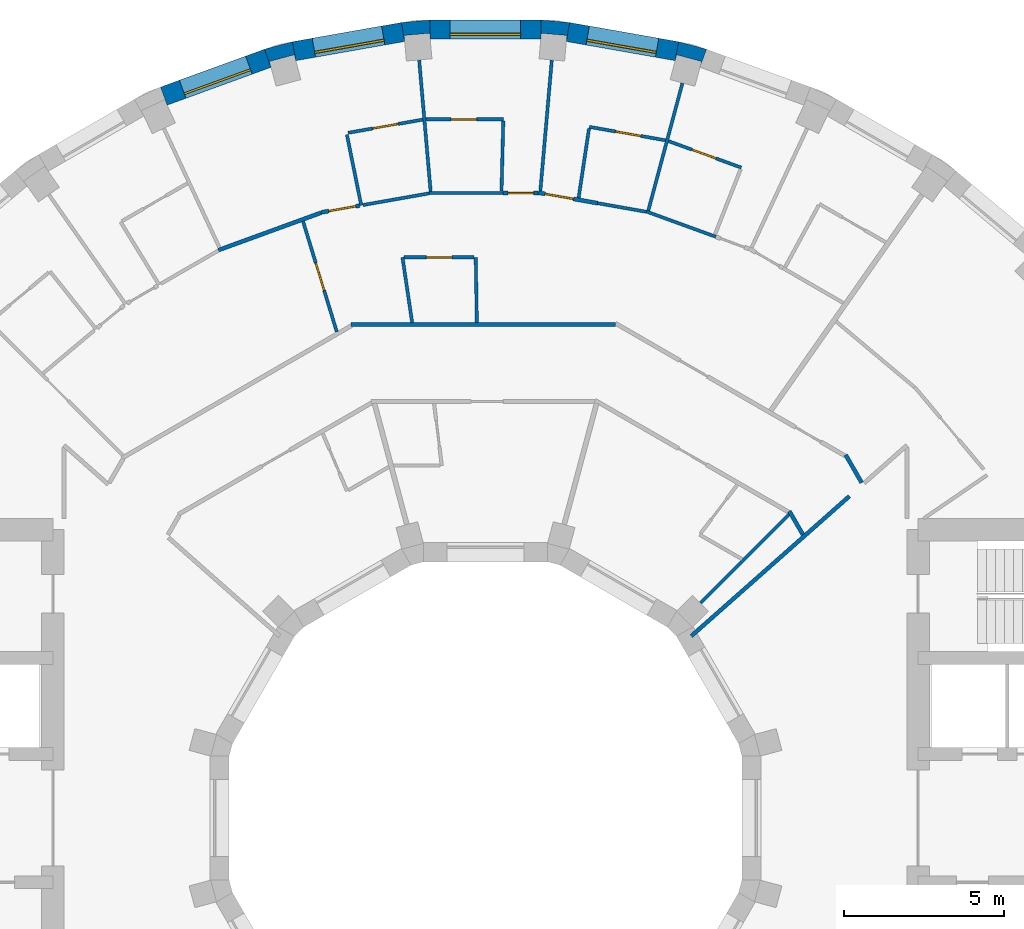
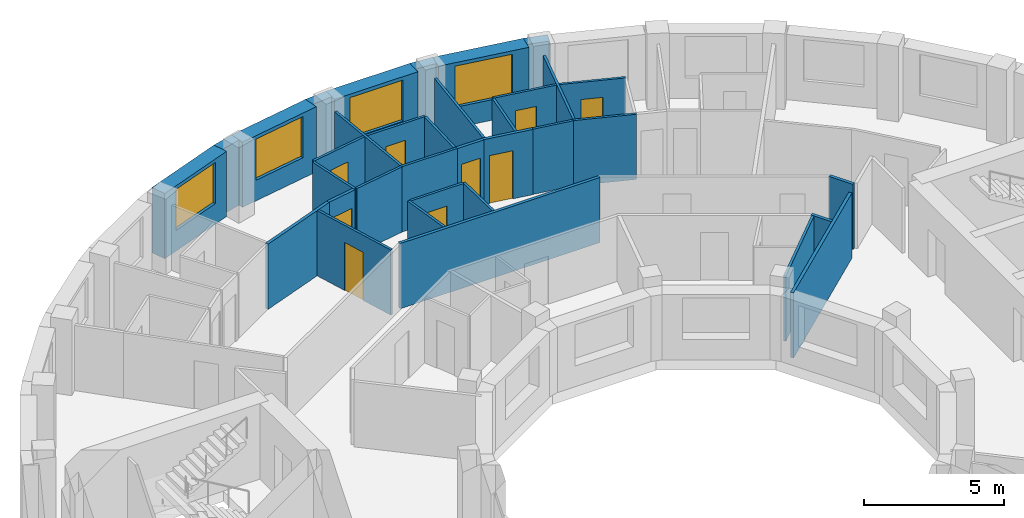
# One storey, part 12 of 15: 35 walls, 9 doors, 4 windows, 13 openings.
"""IFC4 building model written with IfcOpenShell, lengths in metres."""

from ifc_helpers import new_model, si_unit, direction, frame, frame_2d, origin, place, context, subcontext, project, spatial, polyline, rectangle, outline, extrude, material, layer, layer_set, type_object, element, fill, save


model = new_model("IFC4")

# Units and contexts
model_context = context("Model", 3, precision=1e-05, world=origin(), true_north=direction((0.0, 1.0)))
body_context = subcontext(model_context, "Body", "Model", "MODEL_VIEW")
ifc_project = project(units=[si_unit("LENGTHUNIT", "METRE"), si_unit("AREAUNIT", "SQUARE_METRE"), si_unit("VOLUMEUNIT", "CUBIC_METRE"), si_unit("PLANEANGLEUNIT", "RADIAN"), si_unit("MASSUNIT", "GRAM", prefix="KILO")], contexts=[model_context])

# Site, building, storey
site_placement = place(None, origin())
site = spatial("IfcSite", under=ifc_project, at=site_placement, CompositionType="ELEMENT")
building_placement = place(site_placement, origin())
building = spatial("IfcBuilding", under=site, at=building_placement, Name="Saqina Gate Tower", CompositionType="ELEMENT")
storey_placement = place(building_placement, frame((0.0, 0.0, 164.10009765625)))
storey = spatial("IfcBuildingStorey", under=building, at=storey_placement, Name="L46", CompositionType="ELEMENT", Elevation=164.10009765625)

# Walls
ifc_material_1 = material(Name="Brick masonry (buff)", Category="masonry")
wall_type_1 = type_object("IfcWallType", Name="BRICK PIER COPING BUFF", PredefinedType="SOLIDWALL", material=ifc_material_1)
wall_1_placement = place(storey_placement, origin())
element("IfcWall", 1, at=wall_1_placement, inside=storey, type_object=wall_type_1, Name="Pier cap L46 column 8", PredefinedType="SOLIDWALL", context=body_context, shape_type="SweptSolid", body=[
    extrude(outline(polyline([(6.0234375, 24.22705078125), (5.919189453125, 23.635986328125), (5.967529296875, 23.81689453125), (6.740478515625, 23.610107421875), (6.69189453125, 23.428955078125), (6.897216796875, 23.992919921875), (6.0234375, 24.22705078125)])), origin(), (0.0, 0.0, 1.0), 2.849853515625),
])
wall_2_placement = place(storey_placement, origin())
element("IfcWall", 2, at=wall_2_placement, inside=storey, type_object=wall_type_1, Name="Pier cap L46 column 9", PredefinedType="SOLIDWALL", context=body_context, shape_type="SweptSolid", body=[
    extrude(outline(polyline([(2.6259765625, 24.825927734375), (1.724853515625, 24.90478515625), (1.724853515625, 24.304931640625), (1.7412109375, 24.491455078125), (2.5380859375, 24.421630859375), (2.521728515625, 24.235107421875), (2.6259765625, 24.825927734375)])), origin(), (0.0, 0.0, 1.0), 2.849853515625),
])
wall_3_placement = place(storey_placement, origin())
element("IfcWall", 3, at=wall_3_placement, inside=storey, type_object=wall_type_1, Name="Pier cap L46 column 10", PredefinedType="SOLIDWALL", context=body_context, shape_type="SweptSolid", body=[
    extrude(outline(polyline([(-1.724853515625, 24.90478515625), (-2.6259765625, 24.825927734375), (-2.521728515625, 24.235107421875), (-2.5380859375, 24.421630859375), (-1.7412109375, 24.491455078125), (-1.724853515625, 24.304931640625), (-1.724853515625, 24.90478515625)])), origin(), (0.0, 0.0, 1.0), 2.849853515625),
])
wall_4_placement = place(storey_placement, origin())
element("IfcWall", 4, at=wall_4_placement, inside=storey, type_object=wall_type_1, Name="Pier cap L46 column 11", PredefinedType="SOLIDWALL", context=body_context, shape_type="SweptSolid", body=[
    extrude(outline(polyline([(-6.0234375, 24.22705078125), (-6.897216796875, 23.992919921875), (-6.69189453125, 23.428955078125), (-6.740478515625, 23.610107421875), (-5.967529296875, 23.81689453125), (-5.919189453125, 23.635986328125), (-6.0234375, 24.22705078125)])), origin(), (0.0, 0.0, 1.0), 2.849853515625),
])

# Wall, opening, window
ifc_material_2 = material(Name="Brick masonry (buff)", Category="masonry")
ifc_layer_1 = layer(ifc_material_2, 0.60009765625)
ifc_layer_set_1 = layer_set([ifc_layer_1], Name="FW-BRICK-BUFF")
wall_type_2 = type_object("IfcWallType", Name="FW-BRICK-BUFF", PredefinedType="SOLIDWALL", material=ifc_layer_set_1)
wall_5_placement = place(storey_placement, frame((5.97119140625, 23.931640625, 0.0), z_axis=(0.0, 0.0, 1.0), x_axis=(-0.984814892183, 0.173607684551, 0.0)))
wall_5 = element("IfcWall", 5, at=wall_5_placement, inside=storey, type_object=wall_type_2, Name="Facade wall L46 facet 8", PredefinedType="SOLIDWALL", context=body_context, shape_type="SweptSolid", body=[
    extrude(rectangle(XDim=3.44970703125, YDim=0.60009765625, at=frame_2d((1.724853515625, 0.0))), origin(), (0.0, 0.0, 1.0), 2.849853515625),
])
opening_1_placement = place(wall_5_placement, frame((0.625, 0.0, 0.89990234375)))
opening_1 = element("IfcOpeningElement", 6, at=opening_1_placement, cuts=wall_5, Name="Opening G13-W06", PredefinedType="OPENING", context=body_context, shape_type="SweptSolid", body=[
    extrude(rectangle(XDim=2.199951171875, YDim=1.800048828125, at=frame_2d((1.10009765625, 0.89990234375))), frame((0.0, 0.31201171875, 0.0), z_axis=(0.0, -1.0, 0.0), x_axis=(1.0, 0.0, 0.0)), (0.0, 0.0, 1.0), 0.6240234375),
])
ifc_material_3 = material(Name="Aluminium glazing", Category="aluminium")
window_type = type_object("IfcWindowType", Name="WN-C", PartitioningType="SINGLE_PANEL", PredefinedType="WINDOW", material=ifc_material_3)
window_1_placement = place(opening_1_placement, origin())
window_1 = element("IfcWindow", 7, at=window_1_placement, inside=storey, type_object=window_type, Name="Window L46 facet 8", OverallHeight=1.800048828125, OverallWidth=2.199951171875, PartitioningType="SINGLE_PANEL", PredefinedType="WINDOW", context=body_context, shape_type="SweptSolid", body=[
    extrude(rectangle(XDim=2.199951171875, YDim=1.800048828125, at=frame_2d((1.10009765625, 0.89990234375))), frame((0.0, 0.179931640625, 0.0), z_axis=(0.0, -1.0, 0.0), x_axis=(1.0, 0.0, 0.0)), (0.0, 0.0, 1.0), 0.06005859375),
])
fill(opening_1, window_1)

wall_6_placement = place(storey_placement, frame((1.724853515625, 24.60498046875, 0.0), z_axis=(0.0, 0.0, 1.0), x_axis=(-1.0, 0.0, 0.0)))
wall_6 = element("IfcWall", 8, at=wall_6_placement, inside=storey, type_object=wall_type_2, Name="Facade wall L46 facet 9", PredefinedType="SOLIDWALL", context=body_context, shape_type="SweptSolid", body=[
    extrude(rectangle(XDim=3.44970703125, YDim=0.60009765625, at=frame_2d((1.724853515625, 0.0))), origin(), (0.0, 0.0, 1.0), 2.849853515625),
])
opening_2_placement = place(wall_6_placement, frame((0.625, 0.0, 0.89990234375)))
opening_2 = element("IfcOpeningElement", 9, at=opening_2_placement, cuts=wall_6, Name="Opening G13-W07", PredefinedType="OPENING", context=body_context, shape_type="SweptSolid", body=[
    extrude(rectangle(XDim=2.199951171875, YDim=1.800048828125, at=frame_2d((1.10009765625, 0.89990234375))), frame((0.0, 0.31201171875, 0.0), z_axis=(0.0, -1.0, 0.0), x_axis=(1.0, 0.0, 0.0)), (0.0, 0.0, 1.0), 0.6240234375),
])
window_2_placement = place(opening_2_placement, origin())
window_2 = element("IfcWindow", 10, at=window_2_placement, inside=storey, type_object=window_type, Name="Window L46 facet 9", OverallHeight=1.800048828125, OverallWidth=2.199951171875, PartitioningType="SINGLE_PANEL", PredefinedType="WINDOW", context=body_context, shape_type="SweptSolid", body=[
    extrude(rectangle(XDim=2.199951171875, YDim=1.800048828125, at=frame_2d((1.10009765625, 0.89990234375))), frame((0.0, 0.179931640625, 0.0), z_axis=(0.0, -1.0, 0.0), x_axis=(1.0, 0.0, 0.0)), (0.0, 0.0, 1.0), 0.06005859375),
])
fill(opening_2, window_2)

wall_7_placement = place(storey_placement, frame((-2.573974609375, 24.530517578125, 0.0), z_axis=(0.0, 0.0, 1.0), x_axis=(-0.984814892183, -0.173607684551, 0.0)))
wall_7 = element("IfcWall", 11, at=wall_7_placement, inside=storey, type_object=wall_type_2, Name="Facade wall L46 facet 10", PredefinedType="SOLIDWALL", context=body_context, shape_type="SweptSolid", body=[
    extrude(rectangle(XDim=3.44970703125, YDim=0.60009765625, at=frame_2d((1.724853515625, 0.0))), origin(), (0.0, 0.0, 1.0), 2.849853515625),
])
opening_3_placement = place(wall_7_placement, frame((0.625, 0.0, 0.89990234375)))
opening_3 = element("IfcOpeningElement", 12, at=opening_3_placement, cuts=wall_7, Name="Opening G13-W08", PredefinedType="OPENING", context=body_context, shape_type="SweptSolid", body=[
    extrude(rectangle(XDim=2.199951171875, YDim=1.800048828125, at=frame_2d((1.10009765625, 0.89990234375))), frame((0.0, 0.31201171875, 0.0), z_axis=(0.0, -1.0, 0.0), x_axis=(1.0, 0.0, 0.0)), (0.0, 0.0, 1.0), 0.6240234375),
])
window_3_placement = place(opening_3_placement, origin())
window_3 = element("IfcWindow", 13, at=window_3_placement, inside=storey, type_object=window_type, Name="Window L46 facet 10", OverallHeight=1.800048828125, OverallWidth=2.199951171875, PartitioningType="SINGLE_PANEL", PredefinedType="WINDOW", context=body_context, shape_type="SweptSolid", body=[
    extrude(rectangle(XDim=2.199951171875, YDim=1.800048828125, at=frame_2d((1.10009765625, 0.89990234375))), frame((0.0, 0.179931640625, 0.0), z_axis=(0.0, -1.0, 0.0), x_axis=(1.0, 0.0, 0.0)), (0.0, 0.0, 1.0), 0.06005859375),
])
fill(opening_3, window_3)

wall_8_placement = place(storey_placement, frame((-6.79443359375, 23.7109375, 0.0), z_axis=(0.0, 0.0, 1.0), x_axis=(-0.93968799822, -0.342032843455, 0.0)))
wall_8 = element("IfcWall", 14, at=wall_8_placement, inside=storey, type_object=wall_type_2, Name="Facade wall L46 facet 11", PredefinedType="SOLIDWALL", context=body_context, shape_type="SweptSolid", body=[
    extrude(rectangle(XDim=3.44970703125, YDim=0.60009765625, at=frame_2d((1.724853515625, 0.0))), origin(), (0.0, 0.0, 1.0), 2.849853515625),
])
opening_4_placement = place(wall_8_placement, frame((0.625, 0.0, 0.89990234375)))
opening_4 = element("IfcOpeningElement", 15, at=opening_4_placement, cuts=wall_8, Name="Opening G13-W09", PredefinedType="OPENING", context=body_context, shape_type="SweptSolid", body=[
    extrude(rectangle(XDim=2.199951171875, YDim=1.800048828125, at=frame_2d((1.10009765625, 0.89990234375))), frame((0.0, 0.31201171875, 0.0), z_axis=(0.0, -1.0, 0.0), x_axis=(1.0, 0.0, 0.0)), (0.0, 0.0, 1.0), 0.6240234375),
])
window_4_placement = place(opening_4_placement, origin())
window_4 = element("IfcWindow", 16, at=window_4_placement, inside=storey, type_object=window_type, Name="Window L46 facet 11", OverallHeight=1.800048828125, OverallWidth=2.199951171875, PartitioningType="SINGLE_PANEL", PredefinedType="WINDOW", context=body_context, shape_type="SweptSolid", body=[
    extrude(rectangle(XDim=2.199951171875, YDim=1.800048828125, at=frame_2d((1.10009765625, 0.89990234375))), frame((0.0, 0.179931640625, 0.0), z_axis=(0.0, -1.0, 0.0), x_axis=(1.0, 0.0, 0.0)), (0.0, 0.0, 1.0), 0.06005859375),
])
fill(opening_4, window_4)

# Walls
ifc_material_4 = material(Name="Gypsum board on steel studs, 100 mm", Category="steel")
ifc_layer_2 = layer(ifc_material_4, 0.10009765625)
ifc_layer_set_2 = layer_set([ifc_layer_2], Name="PARTITION 100")
wall_type_3 = type_object("IfcWallType", Name="PARTITION 100", PredefinedType="PARTITIONING", material=ifc_layer_set_2)
wall_9_placement = place(storey_placement, frame((-0.304931640625, 17.5, 0.0), z_axis=(0.0, 0.0, 1.0), x_axis=(0.017131441911, -0.999853246081, 0.0)))
element("IfcWall", 17, at=wall_9_placement, inside=storey, type_object=wall_type_3, Name="PARTITION PW3-01", PredefinedType="PARTITIONING", context=body_context, shape_type="SweptSolid", body=[
    extrude(rectangle(XDim=2.037841796875, YDim=0.10009765625, at=frame_2d((1.01904296875, 0.0))), origin(), (0.0, 0.0, 1.0), 2.849853515625),
])
wall_10_placement = place(storey_placement, frame((-2.06884765625, 23.649658203125, 0.0), z_axis=(0.0, 0.0, 1.0), x_axis=(0.086893599578, -0.996217597893, 0.0)))
element("IfcWall", 18, at=wall_10_placement, inside=storey, type_object=wall_type_3, Name="PARTITION PW3-03", PredefinedType="PARTITIONING", context=body_context, shape_type="SweptSolid", body=[
    extrude(rectangle(XDim=4.110595703125, YDim=0.10009765625, at=frame_2d((2.05517578125, 0.0))), origin(), (0.0, 0.0, 1.0), 2.849853515625),
])
wall_11_placement = place(storey_placement, frame((-2.590087890625, 17.5, 0.0), z_axis=(0.0, 0.0, 1.0), x_axis=(0.146578722253, -0.989199008381, 0.0)))
element("IfcWall", 19, at=wall_11_placement, inside=storey, type_object=wall_type_3, Name="PARTITION PW3-05", PredefinedType="PARTITIONING", context=body_context, shape_type="SweptSolid", body=[
    extrude(rectangle(XDim=2.060302734375, YDim=0.10009765625, at=frame_2d((1.0302734375, 0.0))), origin(), (0.0, 0.0, 1.0), 2.849853515625),
])
wall_12_placement = place(storey_placement, frame((-4.324951171875, 21.326904296875, 0.0), z_axis=(0.0, 0.0, 1.0), x_axis=(0.199120171805, -0.979975079877, 0.0)))
element("IfcWall", 20, at=wall_12_placement, inside=storey, type_object=wall_type_3, Name="PARTITION PW3-06", PredefinedType="PARTITIONING", context=body_context, shape_type="SweptSolid", body=[
    extrude(rectangle(XDim=2.25, YDim=0.10009765625, at=frame_2d((1.125, 0.0))), origin(), (0.0, 0.0, 1.0), 2.849853515625),
])

# Wall, opening, door
wall_13_placement = place(storey_placement, frame((-5.691650390625, 18.6181640625, 0.0), z_axis=(0.0, 0.0, 1.0), x_axis=(0.292189255633, -0.956360517218, 0.0)))
wall_13 = element("IfcWall", 21, at=wall_13_placement, inside=storey, type_object=wall_type_3, Name="PARTITION PW3-07", PredefinedType="PARTITIONING", context=body_context, shape_type="SweptSolid", body=[
    extrude(rectangle(XDim=3.601318359375, YDim=0.10009765625, at=frame_2d((1.80078125, 0.0))), origin(), (0.0, 0.0, 1.0), 2.849853515625),
])
opening_5_placement = place(wall_13_placement, frame((1.350830078125, 0.0, 0.0)))
opening_5 = element("IfcOpeningElement", 22, at=opening_5_placement, cuts=wall_13, Name="Opening G13-D19", PredefinedType="OPENING", context=body_context, shape_type="SweptSolid", body=[
    extrude(rectangle(XDim=0.89990234375, YDim=2.10009765625, at=frame_2d((0.449951171875, 1.050048828125))), frame((0.0, 0.06201171875, 0.0), z_axis=(0.0, -1.0, 0.0), x_axis=(1.0, 0.0, 0.0)), (0.0, 0.0, 1.0), 0.1240234375),
])
ifc_material_5 = material(Name="Timber door leaf, 900 mm", Category="wood")
door_type_1 = type_object("IfcDoorType", Name="DOOR 900 TIMBER", OperationType="SINGLE_SWING_LEFT", PredefinedType="DOOR", material=ifc_material_5)
door_1_placement = place(opening_5_placement, origin())
door_1 = element("IfcDoor", 23, at=door_1_placement, inside=storey, type_object=door_type_1, Name="DOOR G13-D19", OperationType="SINGLE_SWING_RIGHT", OverallHeight=2.10009765625, OverallWidth=0.89990234375, PredefinedType="DOOR", context=body_context, shape_type="SweptSolid", body=[
    extrude(rectangle(XDim=0.89990234375, YDim=2.10009765625, at=frame_2d((0.449951171875, 1.050048828125))), frame((0.0, 0.02490234375, 0.0), z_axis=(0.0, -1.0, 0.0), x_axis=(1.0, 0.0, 0.0)), (0.0, 0.0, 1.0), 0.050048828125),
])
fill(opening_5, door_1)

# Wall
wall_14_placement = place(storey_placement, frame((5.020263671875, 18.929443359375, 0.0), z_axis=(0.0, 0.0, 1.0), x_axis=(0.939651079277, -0.342134256123, 0.0)))
element("IfcWall", 24, at=wall_14_placement, inside=storey, type_object=wall_type_3, Name="PARTITION PW3-28", PredefinedType="PARTITIONING", context=body_context, shape_type="SweptSolid", body=[
    extrude(rectangle(XDim=2.304931640625, YDim=0.10009765625, at=frame_2d((1.15234375, 0.0))), origin(), (0.0, 0.0, 1.0), 2.849853515625),
])

# Wall, opening, door
wall_15_placement = place(storey_placement, frame((5.7119140625, 21.125, 0.0), z_axis=(0.0, 0.0, 1.0), x_axis=(0.939684150909, -0.342043413226, 0.0)))
wall_15 = element("IfcWall", 25, at=wall_15_placement, inside=storey, type_object=wall_type_3, Name="PARTITION PW3-29", PredefinedType="PARTITIONING", context=body_context, shape_type="SweptSolid", body=[
    extrude(rectangle(XDim=2.414794921875, YDim=0.10009765625, at=frame_2d((1.20751953125, 0.0))), origin(), (0.0, 0.0, 1.0), 2.849853515625),
])
opening_6_placement = place(wall_15_placement, frame((0.7822265625, 0.0, 0.0)))
opening_6 = element("IfcOpeningElement", 26, at=opening_6_placement, cuts=wall_15, Name="Opening G13-D09", PredefinedType="OPENING", context=body_context, shape_type="SweptSolid", body=[
    extrude(rectangle(XDim=0.800048828125, YDim=2.10009765625, at=frame_2d((0.39990234375, 1.050048828125))), frame((0.0, 0.06201171875, 0.0), z_axis=(0.0, -1.0, 0.0), x_axis=(1.0, 0.0, 0.0)), (0.0, 0.0, 1.0), 0.1240234375),
])
ifc_material_6 = material(Name="Timber door leaf, 800 mm", Category="wood")
door_type_2 = type_object("IfcDoorType", Name="DOOR 800 TIMBER", OperationType="SINGLE_SWING_LEFT", PredefinedType="DOOR", material=ifc_material_6)
door_2_placement = place(opening_6_placement, origin())
door_2 = element("IfcDoor", 27, at=door_2_placement, inside=storey, type_object=door_type_2, Name="DOOR G13-D09", OperationType="SINGLE_SWING_LEFT", OverallHeight=2.10009765625, OverallWidth=0.800048828125, PredefinedType="DOOR", context=body_context, shape_type="SweptSolid", body=[
    extrude(rectangle(XDim=0.800048828125, YDim=2.10009765625, at=frame_2d((0.39990234375, 1.050048828125))), frame((0.0, 0.02490234375, 0.0), z_axis=(0.0, -1.0, 0.0), x_axis=(1.0, 0.0, 0.0)), (0.0, 0.0, 1.0), 0.050048828125),
])
fill(opening_6, door_2)

# Wall
wall_16_placement = place(storey_placement, frame((3.49365234375, 19.189697265625, 0.0), z_axis=(0.0, 0.0, 1.0), x_axis=(0.984794665863, -0.173722382228, 0.0)))
element("IfcWall", 28, at=wall_16_placement, inside=storey, type_object=wall_type_3, Name="PARTITION PW3-31", PredefinedType="PARTITIONING", context=body_context, shape_type="SweptSolid", body=[
    extrude(rectangle(XDim=1.548583984375, YDim=0.10009765625, at=frame_2d((0.7744140625, 0.0))), origin(), (0.0, 0.0, 1.0), 2.849853515625),
])

# Wall, opening, door
wall_17_placement = place(storey_placement, frame((3.238037109375, 21.570068359375, 0.0), z_axis=(0.0, 0.0, 1.0), x_axis=(0.984794754479, -0.173721879884, 0.0)))
wall_17 = element("IfcWall", 29, at=wall_17_placement, inside=storey, type_object=wall_type_3, Name="PARTITION PW3-32", PredefinedType="PARTITIONING", context=body_context, shape_type="SweptSolid", body=[
    extrude(rectangle(XDim=2.414306640625, YDim=0.10009765625, at=frame_2d((1.20703125, 0.0))), origin(), (0.0, 0.0, 1.0), 2.849853515625),
])
opening_7_placement = place(wall_17_placement, frame((0.832275390625, 0.0, 0.0)))
opening_7 = element("IfcOpeningElement", 30, at=opening_7_placement, cuts=wall_17, Name="Opening G13-D10", PredefinedType="OPENING", context=body_context, shape_type="SweptSolid", body=[
    extrude(rectangle(XDim=0.800048828125, YDim=2.10009765625, at=frame_2d((0.39990234375, 1.050048828125))), frame((0.0, 0.06201171875, 0.0), z_axis=(0.0, -1.0, 0.0), x_axis=(1.0, 0.0, 0.0)), (0.0, 0.0, 1.0), 0.1240234375),
])
door_3_placement = place(opening_7_placement, origin())
door_3 = element("IfcDoor", 31, at=door_3_placement, inside=storey, type_object=door_type_2, Name="DOOR G13-D10", OperationType="SINGLE_SWING_RIGHT", OverallHeight=2.10009765625, OverallWidth=0.800048828125, PredefinedType="DOOR", context=body_context, shape_type="SweptSolid", body=[
    extrude(rectangle(XDim=0.800048828125, YDim=2.10009765625, at=frame_2d((0.39990234375, 1.050048828125))), frame((0.0, 0.02490234375, 0.0), z_axis=(0.0, -1.0, 0.0), x_axis=(1.0, 0.0, 0.0)), (0.0, 0.0, 1.0), 0.050048828125),
])
fill(opening_7, door_3)

wall_18_placement = place(storey_placement, frame((-2.5400390625, 17.5, 0.0), z_axis=(0.0, 0.0, 1.0), x_axis=(1.0, 0.0, 0.0)))
wall_18 = element("IfcWall", 32, at=wall_18_placement, inside=storey, type_object=wall_type_3, Name="PARTITION PW3-35", PredefinedType="PARTITIONING", context=body_context, shape_type="SweptSolid", body=[
    extrude(rectangle(XDim=2.18505859375, YDim=0.10009765625, at=frame_2d((1.092529296875, 0.0))), origin(), (0.0, 0.0, 1.0), 2.849853515625),
])
opening_8_placement = place(wall_18_placement, frame((0.6923828125, 0.0, 0.0)))
opening_8 = element("IfcOpeningElement", 33, at=opening_8_placement, cuts=wall_18, Name="Opening G13-D15", PredefinedType="OPENING", context=body_context, shape_type="SweptSolid", body=[
    extrude(rectangle(XDim=0.800048828125, YDim=2.10009765625, at=frame_2d((0.39990234375, 1.050048828125))), frame((0.0, 0.06201171875, 0.0), z_axis=(0.0, -1.0, 0.0), x_axis=(1.0, 0.0, 0.0)), (0.0, 0.0, 1.0), 0.1240234375),
])
door_4_placement = place(opening_8_placement, origin())
door_4 = element("IfcDoor", 34, at=door_4_placement, inside=storey, type_object=door_type_2, Name="DOOR G13-D15", OperationType="SINGLE_SWING_RIGHT", OverallHeight=2.10009765625, OverallWidth=0.800048828125, PredefinedType="DOOR", context=body_context, shape_type="SweptSolid", body=[
    extrude(rectangle(XDim=0.800048828125, YDim=2.10009765625, at=frame_2d((0.39990234375, 1.050048828125))), frame((0.0, 0.02490234375, 0.0), z_axis=(0.0, -1.0, 0.0), x_axis=(1.0, 0.0, 0.0)), (0.0, 0.0, 1.0), 0.050048828125),
])
fill(opening_8, door_4)

# Wall
wall_19_placement = place(storey_placement, frame((-1.7568359375, 19.5048828125, 0.0), z_axis=(0.0, 0.0, 1.0), x_axis=(1.0, 0.0, 0.0)))
element("IfcWall", 35, at=wall_19_placement, inside=storey, type_object=wall_type_3, Name="PARTITION PW3-36", PredefinedType="PARTITIONING", context=body_context, shape_type="SweptSolid", body=[
    extrude(rectangle(XDim=2.304931640625, YDim=0.10009765625, at=frame_2d((1.15234375, 0.0))), origin(), (0.0, 0.0, 1.0), 2.849853515625),
])

# Wall, opening, door
wall_20_placement = place(storey_placement, frame((-1.85791015625, 21.804931640625, 0.0), z_axis=(0.0, 0.0, 1.0), x_axis=(1.0, 0.0, 0.0)))
wall_20 = element("IfcWall", 36, at=wall_20_placement, inside=storey, type_object=wall_type_3, Name="PARTITION PW3-37", PredefinedType="PARTITIONING", context=body_context, shape_type="SweptSolid", body=[
    extrude(rectangle(XDim=2.414794921875, YDim=0.10009765625, at=frame_2d((1.20751953125, 0.0))), origin(), (0.0, 0.0, 1.0), 2.849853515625),
])
opening_9_placement = place(wall_20_placement, frame((0.782470703125, 0.0, 0.0)))
opening_9 = element("IfcOpeningElement", 37, at=opening_9_placement, cuts=wall_20, Name="Opening G13-D14", PredefinedType="OPENING", context=body_context, shape_type="SweptSolid", body=[
    extrude(rectangle(XDim=0.800048828125, YDim=2.10009765625, at=frame_2d((0.39990234375, 1.050048828125))), frame((0.0, 0.06201171875, 0.0), z_axis=(0.0, -1.0, 0.0), x_axis=(1.0, 0.0, 0.0)), (0.0, 0.0, 1.0), 0.1240234375),
])
door_5_placement = place(opening_9_placement, origin())
door_5 = element("IfcDoor", 38, at=door_5_placement, inside=storey, type_object=door_type_2, Name="DOOR G13-D14", OperationType="SINGLE_SWING_LEFT", OverallHeight=2.10009765625, OverallWidth=0.800048828125, PredefinedType="DOOR", context=body_context, shape_type="SweptSolid", body=[
    extrude(rectangle(XDim=0.800048828125, YDim=2.10009765625, at=frame_2d((0.39990234375, 1.050048828125))), frame((0.0, 0.02490234375, 0.0), z_axis=(0.0, -1.0, 0.0), x_axis=(1.0, 0.0, 0.0)), (0.0, 0.0, 1.0), 0.050048828125),
])
fill(opening_9, door_5)

# Wall
wall_21_placement = place(storey_placement, frame((-3.827880859375, 19.130615234375, 0.0), z_axis=(0.0, 0.0, 1.0), x_axis=(0.984788229358, 0.173758865439, 0.0)))
element("IfcWall", 39, at=wall_21_placement, inside=storey, type_object=wall_type_3, Name="PARTITION PW3-39", PredefinedType="PARTITIONING", context=body_context, shape_type="SweptSolid", body=[
    extrude(rectangle(XDim=2.104736328125, YDim=0.10009765625, at=frame_2d((1.05224609375, 0.0))), origin(), (0.0, 0.0, 1.0), 2.849853515625),
])

# Wall, opening, door
wall_22_placement = place(storey_placement, frame((-4.28564453125, 21.38525390625, 0.0), z_axis=(0.0, 0.0, 1.0), x_axis=(0.984765882157, 0.173885471904, 0.0)))
wall_22 = element("IfcWall", 40, at=wall_22_placement, inside=storey, type_object=wall_type_3, Name="PARTITION PW3-40", PredefinedType="PARTITIONING", context=body_context, shape_type="SweptSolid", body=[
    extrude(rectangle(XDim=2.364501953125, YDim=0.10009765625, at=frame_2d((1.18212890625, 0.0))), origin(), (0.0, 0.0, 1.0), 2.849853515625),
])
opening_10_placement = place(wall_22_placement, frame((0.78271484375, 0.0, 0.0)))
opening_10 = element("IfcOpeningElement", 41, at=opening_10_placement, cuts=wall_22, Name="Opening G13-D17", PredefinedType="OPENING", context=body_context, shape_type="SweptSolid", body=[
    extrude(rectangle(XDim=0.800048828125, YDim=2.10009765625, at=frame_2d((0.39990234375, 1.050048828125))), frame((0.0, 0.06201171875, 0.0), z_axis=(0.0, -1.0, 0.0), x_axis=(1.0, 0.0, 0.0)), (0.0, 0.0, 1.0), 0.1240234375),
])
door_6_placement = place(opening_10_placement, origin())
door_6 = element("IfcDoor", 42, at=door_6_placement, inside=storey, type_object=door_type_2, Name="DOOR G13-D17", OperationType="SINGLE_SWING_RIGHT", OverallHeight=2.10009765625, OverallWidth=0.800048828125, PredefinedType="DOOR", context=body_context, shape_type="SweptSolid", body=[
    extrude(rectangle(XDim=0.800048828125, YDim=2.10009765625, at=frame_2d((0.39990234375, 1.050048828125))), frame((0.0, 0.02490234375, 0.0), z_axis=(0.0, -1.0, 0.0), x_axis=(1.0, 0.0, 0.0)), (0.0, 0.0, 1.0), 0.050048828125),
])
fill(opening_10, door_6)

# Walls
wall_23_placement = place(storey_placement, frame((6.7119140625, 6.7119140625, 0.0), z_axis=(0.0, 0.0, 1.0), x_axis=(0.707106781187, 0.707106781187, 0.0)))
element("IfcWall", 43, at=wall_23_placement, inside=storey, type_object=wall_type_3, Name="PARTITION PW3-52", PredefinedType="PARTITIONING", context=body_context, shape_type="SweptSolid", body=[
    extrude(rectangle(XDim=3.904541015625, YDim=0.10009765625, at=frame_2d((1.9521484375, 0.0))), origin(), (0.0, 0.0, 1.0), 2.849853515625),
])
wall_24_placement = place(storey_placement, frame((5.080810546875, 18.960205078125, 0.0), z_axis=(0.0, 0.0, 1.0), x_axis=(0.258642078309, 0.965973227025, 0.0)))
element("IfcWall", 44, at=wall_24_placement, inside=storey, type_object=wall_type_3, Name="PARTITION PW3-60", PredefinedType="PARTITIONING", context=body_context, shape_type="SweptSolid", body=[
    extrude(rectangle(XDim=4.11083984375, YDim=0.10009765625, at=frame_2d((2.055419921875, 0.0))), origin(), (0.0, 0.0, 1.0), 2.849853515625),
])
wall_25_placement = place(storey_placement, frame((2.90625, 19.356689453125, 0.0), z_axis=(0.0, 0.0, 1.0), x_axis=(0.148182215979, 0.988960075467, 0.0)))
element("IfcWall", 45, at=wall_25_placement, inside=storey, type_object=wall_type_3, Name="PARTITION PW3-61", PredefinedType="PARTITIONING", context=body_context, shape_type="SweptSolid", body=[
    extrude(rectangle(XDim=2.18798828125, YDim=0.10009765625, at=frame_2d((1.093994140625, 0.0))), origin(), (0.0, 0.0, 1.0), 2.849853515625),
])
wall_26_placement = place(storey_placement, frame((1.71142578125, 19.5673828125, 0.0), z_axis=(0.0, 0.0, 1.0), x_axis=(0.087161776864, 0.996194170157, 0.0)))
element("IfcWall", 46, at=wall_26_placement, inside=storey, type_object=wall_type_3, Name="PARTITION PW3-64", PredefinedType="PARTITIONING", context=body_context, shape_type="SweptSolid", body=[
    extrude(rectangle(XDim=4.097900390625, YDim=0.10009765625, at=frame_2d((2.048828125, 0.0))), origin(), (0.0, 0.0, 1.0), 2.849853515625),
])
wall_27_placement = place(storey_placement, frame((0.49951171875, 19.5673828125, 0.0), z_axis=(0.0, 0.0, 1.0), x_axis=(0.025658328011, 0.999670770906, 0.0)))
element("IfcWall", 47, at=wall_27_placement, inside=storey, type_object=wall_type_3, Name="PARTITION PW3-65", PredefinedType="PARTITIONING", context=body_context, shape_type="SweptSolid", body=[
    extrude(rectangle(XDim=2.1884765625, YDim=0.10009765625, at=frame_2d((1.09423828125, 0.0))), origin(), (0.0, 0.0, 1.0), 2.849853515625),
])
ifc_material_7 = material(Name="Gypsum board on steel studs, 125 mm, fire rated", Category="steel")
ifc_layer_3 = layer(ifc_material_7, 0.125)
ifc_layer_set_3 = layer_set([ifc_layer_3], Name="PARTITION EI 30 125")
wall_type_4 = type_object("IfcWallType", Name="PARTITION EI 30 125", PredefinedType="PARTITIONING", material=ifc_layer_set_3)
wall_28_placement = place(storey_placement, frame((11.238037109375, 11.336669921875, 0.0), z_axis=(0.0, 0.0, 1.0), x_axis=(0.499097354853, -0.866545919371, 0.0)))
element("IfcWall", 48, at=wall_28_placement, inside=storey, type_object=wall_type_4, Name="PARTITION PW1-02", PredefinedType="PARTITIONING", context=body_context, shape_type="SweptSolid", body=[
    extrude(rectangle(XDim=1.003173828125, YDim=0.125, at=frame_2d((0.50146484375, 0.0))), origin(), (0.0, 0.0, 1.0), 2.849853515625),
])
wall_29_placement = place(storey_placement, frame((9.48095703125, 9.57958984375, 0.0), z_axis=(0.0, 0.0, 1.0), x_axis=(0.499855389907, -0.866108878364, 0.0)))
element("IfcWall", 49, at=wall_29_placement, inside=storey, type_object=wall_type_4, Name="PARTITION PW1-04", PredefinedType="PARTITIONING", context=body_context, shape_type="SweptSolid", body=[
    extrude(rectangle(XDim=0.847900390625, YDim=0.125, at=frame_2d((0.423828125, 0.0))), origin(), (0.0, 0.0, 1.0), 2.849853515625),
])

# Wall, opening, door
wall_30_placement = place(storey_placement, frame((1.6435546875, 19.51611328125, 0.0), z_axis=(0.0, 0.0, 1.0), x_axis=(0.984794021773, -0.173726033396, 0.0)))
wall_30 = element("IfcWall", 50, at=wall_30_placement, inside=storey, type_object=wall_type_4, Name="PARTITION PW1-16", PredefinedType="PARTITIONING", context=body_context, shape_type="SweptSolid", body=[
    extrude(rectangle(XDim=1.87890625, YDim=0.125, at=frame_2d((0.939453125, 0.0))), origin(), (0.0, 0.0, 1.0), 2.849853515625),
])
opening_11_placement = place(wall_30_placement, frame((0.21826171875, 0.0, 0.0)))
opening_11 = element("IfcOpeningElement", 51, at=opening_11_placement, cuts=wall_30, Name="Opening G13-D11", PredefinedType="OPENING", context=body_context, shape_type="SweptSolid", body=[
    extrude(rectangle(XDim=0.89990234375, YDim=2.10009765625, at=frame_2d((0.449951171875, 1.050048828125))), frame((0.0, 0.074462890625, 0.0), z_axis=(0.0, -1.0, 0.0), x_axis=(1.0, 0.0, 0.0)), (0.0, 0.0, 1.0), 0.14892578125),
])
ifc_material_8 = material(Name="Fire door leaf EI 30, 900 mm")
door_type_3 = type_object("IfcDoorType", Name="DOOR 900 EI 30", OperationType="SINGLE_SWING_LEFT", PredefinedType="DOOR", material=ifc_material_8)
door_7_placement = place(opening_11_placement, frame((0.89990234375, 0.0, 0.0), z_axis=(0.0, 0.0, 1.0), x_axis=(-1.0, 0.0, 0.0)))
door_7 = element("IfcDoor", 52, at=door_7_placement, inside=storey, type_object=door_type_3, Name="DOOR G13-D11", OperationType="SINGLE_SWING_RIGHT", OverallHeight=2.10009765625, OverallWidth=0.89990234375, PredefinedType="DOOR", context=body_context, shape_type="SweptSolid", body=[
    extrude(rectangle(XDim=0.89990234375, YDim=2.10009765625, at=frame_2d((0.449951171875, 1.050048828125))), frame((0.0, 0.02490234375, 0.0), z_axis=(0.0, -1.0, 0.0), x_axis=(1.0, 0.0, 0.0)), (0.0, 0.0, 1.0), 0.050048828125),
])
fill(opening_11, door_7)

# Wall
wall_31_placement = place(storey_placement, frame((-4.1982421875, 15.39990234375, 0.0), z_axis=(0.0, 0.0, 1.0), x_axis=(1.0, 0.0, 0.0)))
element("IfcWall", 53, at=wall_31_placement, inside=storey, type_object=wall_type_4, Name="PARTITION PW1-20", PredefinedType="PARTITIONING", context=body_context, shape_type="SweptSolid", body=[
    extrude(rectangle(XDim=8.26171875, YDim=0.125, at=frame_2d((4.130859375, 0.0))), origin(), (0.0, 0.0, 1.0), 2.849853515625),
])

# Wall, opening, door
wall_32_placement = place(storey_placement, frame((0.548095703125, 19.5048828125, 0.0), z_axis=(0.0, 0.0, 1.0), x_axis=(1.0, 0.0, 0.0)))
wall_32 = element("IfcWall", 54, at=wall_32_placement, inside=storey, type_object=wall_type_4, Name="PARTITION PW1-21", PredefinedType="PARTITIONING", context=body_context, shape_type="SweptSolid", body=[
    extrude(rectangle(XDim=1.095458984375, YDim=0.125, at=frame_2d((0.5478515625, 0.0))), origin(), (0.0, 0.0, 1.0), 2.849853515625),
])
opening_12_placement = place(wall_32_placement, frame((0.154052734375, 0.0, 0.0)))
opening_12 = element("IfcOpeningElement", 55, at=opening_12_placement, cuts=wall_32, Name="Opening G13-D12", PredefinedType="OPENING", context=body_context, shape_type="SweptSolid", body=[
    extrude(rectangle(XDim=0.800048828125, YDim=2.10009765625, at=frame_2d((0.39990234375, 1.050048828125))), frame((0.0, 0.074462890625, 0.0), z_axis=(0.0, -1.0, 0.0), x_axis=(1.0, 0.0, 0.0)), (0.0, 0.0, 1.0), 0.14892578125),
])
ifc_material_9 = material(Name="Fire door leaf EI 30, 800 mm")
door_type_4 = type_object("IfcDoorType", Name="DOOR 800 EI 30", OperationType="SINGLE_SWING_LEFT", PredefinedType="DOOR", material=ifc_material_9)
door_8_placement = place(opening_12_placement, frame((0.800048828125, 0.0, 0.0), z_axis=(0.0, 0.0, 1.0), x_axis=(-1.0, 0.0, 0.0)))
door_8 = element("IfcDoor", 56, at=door_8_placement, inside=storey, type_object=door_type_4, Name="DOOR G13-D12", OperationType="SINGLE_SWING_LEFT", OverallHeight=2.10009765625, OverallWidth=0.800048828125, PredefinedType="DOOR", context=body_context, shape_type="SweptSolid", body=[
    extrude(rectangle(XDim=0.800048828125, YDim=2.10009765625, at=frame_2d((0.39990234375, 1.050048828125))), frame((0.0, 0.02490234375, 0.0), z_axis=(0.0, -1.0, 0.0), x_axis=(1.0, 0.0, 0.0)), (0.0, 0.0, 1.0), 0.050048828125),
])
fill(opening_12, door_8)

wall_33_placement = place(storey_placement, frame((-5.130615234375, 18.90087890625, 0.0), z_axis=(0.0, 0.0, 1.0), x_axis=(0.984767477139, 0.173876438798, 0.0)))
wall_33 = element("IfcWall", 57, at=wall_33_placement, inside=storey, type_object=wall_type_4, Name="PARTITION PW1-22", PredefinedType="PARTITIONING", context=body_context, shape_type="SweptSolid", body=[
    extrude(rectangle(XDim=1.222900390625, YDim=0.125, at=frame_2d((0.611328125, 0.0))), origin(), (0.0, 0.0, 1.0), 2.849853515625),
])
opening_13_placement = place(wall_33_placement, frame((0.24267578125, 0.0, 0.0)))
opening_13 = element("IfcOpeningElement", 58, at=opening_13_placement, cuts=wall_33, Name="Opening G13-D18", PredefinedType="OPENING", context=body_context, shape_type="SweptSolid", body=[
    extrude(rectangle(XDim=0.85009765625, YDim=2.10009765625, at=frame_2d((0.425048828125, 1.050048828125))), frame((0.0, 0.074462890625, 0.0), z_axis=(0.0, -1.0, 0.0), x_axis=(1.0, 0.0, 0.0)), (0.0, 0.0, 1.0), 0.14892578125),
])
ifc_material_10 = material(Name="Fire door leaf EI 30, 850 mm")
door_type_5 = type_object("IfcDoorType", Name="DOOR 850 EI 30", OperationType="SINGLE_SWING_LEFT", PredefinedType="DOOR", material=ifc_material_10)
door_9_placement = place(opening_13_placement, frame((0.85009765625, 0.0, 0.0), z_axis=(0.0, 0.0, 1.0), x_axis=(-1.0, 0.0, 0.0)))
door_9 = element("IfcDoor", 59, at=door_9_placement, inside=storey, type_object=door_type_5, Name="DOOR G13-D18", OperationType="SINGLE_SWING_RIGHT", OverallHeight=2.10009765625, OverallWidth=0.85009765625, PredefinedType="DOOR", context=body_context, shape_type="SweptSolid", body=[
    extrude(rectangle(XDim=0.85009765625, YDim=2.10009765625, at=frame_2d((0.425048828125, 1.050048828125))), frame((0.0, 0.02490234375, 0.0), z_axis=(0.0, -1.0, 0.0), x_axis=(1.0, 0.0, 0.0)), (0.0, 0.0, 1.0), 0.050048828125),
])
fill(opening_13, door_9)

# Walls
wall_34_placement = place(storey_placement, frame((-8.334716796875, 17.723388671875, 0.0), z_axis=(0.0, 0.0, 1.0), x_axis=(0.939542594009, 0.342432057556, 0.0)))
element("IfcWall", 60, at=wall_34_placement, inside=storey, type_object=wall_type_4, Name="PARTITION PW1-23", PredefinedType="PARTITIONING", context=body_context, shape_type="SweptSolid", body=[
    extrude(rectangle(XDim=3.41357421875, YDim=0.125, at=frame_2d((1.706787109375, 0.0))), origin(), (0.0, 0.0, 1.0), 2.849853515625),
])
wall_35_placement = place(storey_placement, frame((6.419921875, 5.679931640625, 0.0), z_axis=(0.0, 0.0, 1.0), x_axis=(0.748956953748, 0.662618654607, 0.0)))
element("IfcWall", 61, at=wall_35_placement, inside=storey, type_object=wall_type_4, Name="PARTITION PW1-32", PredefinedType="PARTITIONING", context=body_context, shape_type="SweptSolid", body=[
    extrude(rectangle(XDim=6.588623046875, YDim=0.125, at=frame_2d((3.29443359375, 0.0))), origin(), (0.0, 0.0, 1.0), 2.849853515625),
])

save(model, "model.ifc")
